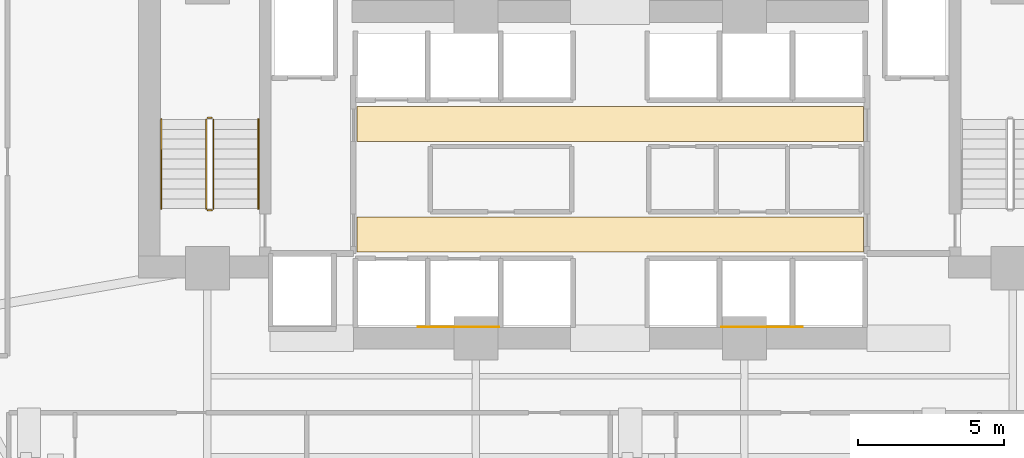
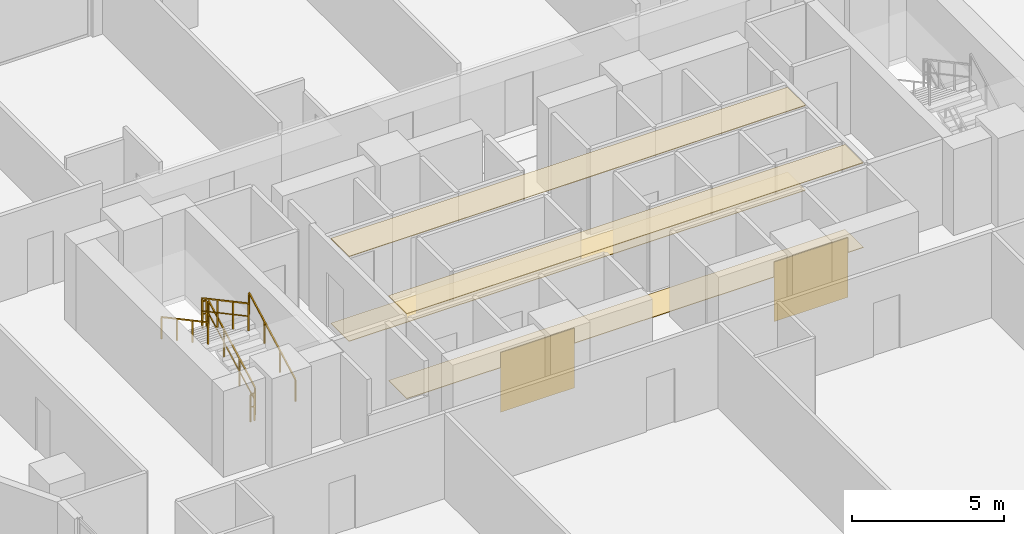
# One storey, part 27 of 30: 6 coverings, 6 railings.
"""IFC4 building model written with IfcOpenShell, lengths in metres."""

from ifc_helpers import new_model, si_unit, direction, frame, origin, origin_2d, place, context, subcontext, project, spatial, polyline, rectangle, outline, extrude, material, layer, layer_set, type_object, element, save


model = new_model("IFC4")

# Units and contexts
model_context = context("Model", 3, precision=1e-05, world=origin(), true_north=direction((0.0, 1.0)))
body_context = subcontext(model_context, "Body", "Model", "MODEL_VIEW")
ifc_project = project(units=[si_unit("LENGTHUNIT", "METRE"), si_unit("AREAUNIT", "SQUARE_METRE"), si_unit("VOLUMEUNIT", "CUBIC_METRE"), si_unit("PLANEANGLEUNIT", "RADIAN"), si_unit("MASSUNIT", "GRAM", prefix="KILO")], contexts=[model_context])

# Site, building, storey
site_placement = place(None, origin())
site = spatial("IfcSite", under=ifc_project, at=site_placement, CompositionType="ELEMENT")
building_placement = place(site_placement, origin())
building = spatial("IfcBuilding", under=site, at=building_placement, Name="Zuhayl Quay Hotel", CompositionType="ELEMENT")
storey_placement = place(building_placement, frame((0.0, 0.0, 128.5)))
storey = spatial("IfcBuildingStorey", under=building, at=storey_placement, Name="L32", CompositionType="ELEMENT", Elevation=128.5)

# Coverings
ifc_material_1 = material(Name="Acoustic Mineral-Fibre Gypsum Board")
ifc_layer_1 = layer(ifc_material_1, 0.02490234375, Name="Acoustic Mineral-Fibre Gypsum Board")
ifc_layer_set_1 = layer_set([ifc_layer_1], Name="Acoustic Mineral-Fibre Gypsum Board")
covering_type_1 = type_object("IfcCoveringType", Name="CV_CEIL_ACOUSTIC", PredefinedType="CEILING", material=ifc_layer_set_1)
covering_1_placement = place(storey_placement, frame((0.0, 0.0, 3.405029296875)))
element("IfcCovering", 1, at=covering_1_placement, inside=storey, type_object=covering_type_1, Name="L32 Suspended Acoustic Lobby Ceiling S", PredefinedType="CEILING", context=body_context, shape_type="SweptSolid", body=[
    extrude(outline(polyline([(-8.679931640625, 5.10009765625), (8.679931640625, 5.10009765625), (8.679931640625, 6.300048828125), (-8.679931640625, 6.300048828125), (-8.679931640625, 5.10009765625)])), origin(), (0.0, 0.0, 1.0), 0.02490234375),
])
covering_2_placement = place(storey_placement, frame((0.0, 0.0, 3.405029296875)))
element("IfcCovering", 2, at=covering_2_placement, inside=storey, type_object=covering_type_1, Name="L32 Suspended Acoustic Lobby Ceiling N", PredefinedType="CEILING", context=body_context, shape_type="SweptSolid", body=[
    extrude(outline(polyline([(-8.679931640625, 8.89990234375), (8.679931640625, 8.89990234375), (8.679931640625, 10.10009765625), (-8.679931640625, 10.10009765625), (-8.679931640625, 8.89990234375)])), origin(), (0.0, 0.0, 1.0), 0.02490234375),
])
ifc_material_2 = material(Name="Polished Limestone Terrazzo", Category="masonry")
ifc_layer_2 = layer(ifc_material_2, 0.02001953125, Name="Polished Limestone Terrazzo", Category="masonry")
ifc_layer_set_2 = layer_set([ifc_layer_2], Name="Polished Limestone Terrazzo")
covering_type_2 = type_object("IfcCoveringType", Name="CV_FLOOR_TERRAZZO", PredefinedType="FLOORING", material=ifc_layer_set_2)
covering_3_placement = place(storey_placement, origin())
element("IfcCovering", 3, at=covering_3_placement, inside=storey, type_object=covering_type_2, Name="L32 Honed Limestone Terrazzo Lobby Flooring S", PredefinedType="FLOORING", context=body_context, shape_type="SweptSolid", body=[
    extrude(outline(polyline([(-8.679931640625, 5.10009765625), (8.679931640625, 5.10009765625), (8.679931640625, 6.300048828125), (-8.679931640625, 6.300048828125), (-8.679931640625, 5.10009765625)])), origin(), (0.0, 0.0, 1.0), 0.02001953125),
])
covering_4_placement = place(storey_placement, origin())
element("IfcCovering", 4, at=covering_4_placement, inside=storey, type_object=covering_type_2, Name="L32 Honed Limestone Terrazzo Lobby Flooring N", PredefinedType="FLOORING", context=body_context, shape_type="SweptSolid", body=[
    extrude(outline(polyline([(-8.679931640625, 8.89990234375), (8.679931640625, 8.89990234375), (8.679931640625, 10.10009765625), (-8.679931640625, 10.10009765625), (-8.679931640625, 8.89990234375)])), origin(), (0.0, 0.0, 1.0), 0.02001953125),
])
ifc_material_3 = material(Name="Acoustic Walnut Feature Timber", Category="wood")
ifc_layer_3 = layer(ifc_material_3, 0.02197265625, Name="Acoustic Walnut Feature Timber", Category="wood")
ifc_layer_set_3 = layer_set([ifc_layer_3], Name="Acoustic Walnut Feature Timber")
covering_type_3 = type_object("IfcCoveringType", Name="CV_WALL_CLAD", PredefinedType="CLADDING", material=ifc_layer_set_3)
for number, where, z_axis, x_axis, name in (
    (5, (-5.199951171875, 2.535888671875, 0.300048828125), (0.0, 0.0, 1.0), (1.0, 0.0, 0.0), "L32 Feature Lobby Walnut Wall Cladding W"),
    (6, (5.199951171875, 2.535888671875, 0.300048828125), (0.0, 0.0, 1.0), (1.0, 0.0, 0.0), "L32 Feature Lobby Walnut Wall Cladding E"),
):
    element("IfcCovering", number, at=place(storey_placement, frame(where, z_axis=z_axis, x_axis=x_axis)), inside=storey, type_object=covering_type_3, Name=name, PredefinedType="CLADDING", context=body_context, shape_type="SweptSolid", body=[
        extrude(rectangle(XDim=2.800048828125, YDim=0.02197265625, at=origin_2d()), origin(), (0.0, 0.0, 1.0), 2.39990234375),
    ])

# Railings
ifc_material_4 = material(Name="Steel ASTM A992 Grade 50", Category="steel")
railing_type_1 = type_object("IfcRailingType", Name="RL_GUARD_1100", PredefinedType="GUARDRAIL", material=ifc_material_4)
railing_1_placement = place(storey_placement, frame((-13.590087890625, 6.590087890625, 0.1826171875)))
element("IfcRailing", 7, at=railing_1_placement, inside=storey, type_object=railing_type_1, Name="L32 ST1 stair guard 1", PredefinedType="GUARDRAIL", context=body_context, shape_type="SweptSolid", body=[
    extrude(rectangle(XDim=0.048095703125, YDim=0.048095703125, at=origin_2d()), frame((0.0, 0.0, 1.09619140625), z_axis=(0.0, 0.881102395774, 0.472925541879), x_axis=(-1.0, 0.0, 0.0)), (0.0, 0.0, 1.0), 3.47265625),
    extrude(rectangle(XDim=0.0361328125, YDim=0.0361328125, at=origin_2d()), frame((0.0, 0.0, 0.58251953125), z_axis=(0.0, 0.881102395774, 0.472925541879), x_axis=(-1.0, 0.0, 0.0)), (0.0, 0.0, 1.0), 3.47265625),
    extrude(rectangle(XDim=0.0419921875, YDim=0.0419921875, at=origin_2d()), origin(), (0.0, 0.0, 1.0), 1.072021484375),
    extrude(rectangle(XDim=0.0419921875, YDim=0.0419921875, at=origin_2d()), frame((0.0, 1.02001953125, 0.54736328125)), (0.0, 0.0, 1.0), 1.072021484375),
    extrude(rectangle(XDim=0.0419921875, YDim=0.0419921875, at=origin_2d()), frame((0.0, 2.039794921875, 1.094970703125)), (0.0, 0.0, 1.0), 1.072021484375),
    extrude(rectangle(XDim=0.0419921875, YDim=0.0419921875, at=origin_2d()), frame((0.0, 3.059814453125, 1.642333984375)), (0.0, 0.0, 1.0), 1.072021484375),
])
railing_2_placement = place(storey_placement, frame((-13.639892578125, 9.699951171875, 1.824951171875)))
element("IfcRailing", 8, at=railing_2_placement, inside=storey, type_object=railing_type_1, Name="L32 ST1 stair guard 2", PredefinedType="GUARDRAIL", context=body_context, shape_type="SweptSolid", body=[
    extrude(rectangle(XDim=0.048095703125, YDim=0.048095703125, at=origin_2d()), frame((0.0, 0.0, 1.09619140625), z_axis=(-1.0, 0.0, 0.0), x_axis=(0.0, -1.0, 0.0)), (0.0, 0.0, 1.0), 0.150146484375),
    extrude(rectangle(XDim=0.0361328125, YDim=0.0361328125, at=origin_2d()), frame((0.0, 0.0, 0.58251953125), z_axis=(-1.0, 0.0, 0.0), x_axis=(0.0, -1.0, 0.0)), (0.0, 0.0, 1.0), 0.150146484375),
    extrude(rectangle(XDim=0.0419921875, YDim=0.0419921875, at=origin_2d()), origin(), (0.0, 0.0, 1.0), 1.072021484375),
    extrude(rectangle(XDim=0.0419921875, YDim=0.0419921875, at=origin_2d()), frame((-0.150146484375, 0.0, 0.0)), (0.0, 0.0, 1.0), 1.072021484375),
])
railing_3_placement = place(storey_placement, frame((-13.840087890625, 9.64990234375, 2.007568359375)))
element("IfcRailing", 9, at=railing_3_placement, inside=storey, type_object=railing_type_1, Name="L32 ST1 stair guard 3", PredefinedType="GUARDRAIL", context=body_context, shape_type="SweptSolid", body=[
    extrude(rectangle(XDim=0.048095703125, YDim=0.048095703125, at=origin_2d()), frame((0.0, 0.0, 1.09619140625), z_axis=(0.0, -0.881102395774, 0.472925541879), x_axis=(1.0, 0.0, 0.0)), (0.0, 0.0, 1.0), 3.47265625),
    extrude(rectangle(XDim=0.0361328125, YDim=0.0361328125, at=origin_2d()), frame((0.0, 0.0, 0.58251953125), z_axis=(0.0, -0.881102395774, 0.472925541879), x_axis=(1.0, 0.0, 0.0)), (0.0, 0.0, 1.0), 3.47265625),
    extrude(rectangle(XDim=0.0419921875, YDim=0.0419921875, at=origin_2d()), origin(), (0.0, 0.0, 1.0), 1.072021484375),
    extrude(rectangle(XDim=0.0419921875, YDim=0.0419921875, at=origin_2d()), frame((0.0, -1.02001953125, 0.54736328125)), (0.0, 0.0, 1.0), 1.072021484375),
    extrude(rectangle(XDim=0.0419921875, YDim=0.0419921875, at=origin_2d()), frame((0.0, -2.039794921875, 1.094970703125)), (0.0, 0.0, 1.0), 1.072021484375),
    extrude(rectangle(XDim=0.0419921875, YDim=0.0419921875, at=origin_2d()), frame((0.0, -3.059814453125, 1.642333984375)), (0.0, 0.0, 1.0), 1.072021484375),
])
railing_4_placement = place(storey_placement, frame((-13.639892578125, 6.5400390625, 0.0)))
element("IfcRailing", 10, at=railing_4_placement, inside=storey, type_object=railing_type_1, Name="L32 ST1 stair guard 4", PredefinedType="GUARDRAIL", context=body_context, shape_type="SweptSolid", body=[
    extrude(rectangle(XDim=0.048095703125, YDim=0.048095703125, at=origin_2d()), frame((0.0, 0.0, 1.09619140625), z_axis=(-1.0, 0.0, 0.0), x_axis=(0.0, -1.0, 0.0)), (0.0, 0.0, 1.0), 0.150146484375),
    extrude(rectangle(XDim=0.0361328125, YDim=0.0361328125, at=origin_2d()), frame((0.0, 0.0, 0.58251953125), z_axis=(-1.0, 0.0, 0.0), x_axis=(0.0, -1.0, 0.0)), (0.0, 0.0, 1.0), 0.150146484375),
    extrude(rectangle(XDim=0.0419921875, YDim=0.0419921875, at=origin_2d()), origin(), (0.0, 0.0, 1.0), 1.072021484375),
    extrude(rectangle(XDim=0.0419921875, YDim=0.0419921875, at=origin_2d()), frame((-0.150146484375, 0.0, 0.0)), (0.0, 0.0, 1.0), 1.072021484375),
])
railing_type_2 = type_object("IfcRailingType", Name="RL_HANDRAIL_920", PredefinedType="HANDRAIL", material=ifc_material_4)
railing_5_placement = place(storey_placement, frame((-12.050048828125, 6.590087890625, 0.1826171875)))
element("IfcRailing", 11, at=railing_5_placement, inside=storey, type_object=railing_type_2, Name="L32 ST1 stair handrail 1", PredefinedType="HANDRAIL", context=body_context, shape_type="SweptSolid", body=[
    extrude(rectangle(XDim=0.048095703125, YDim=0.048095703125, at=origin_2d()), frame((0.0, 0.0, 0.8759765625), z_axis=(0.0, 0.881102395774, 0.472925541879), x_axis=(-1.0, 0.0, 0.0)), (0.0, 0.0, 1.0), 3.47265625),
    extrude(rectangle(XDim=0.0419921875, YDim=0.0419921875, at=origin_2d()), origin(), (0.0, 0.0, 1.0), 0.851806640625),
    extrude(rectangle(XDim=0.0419921875, YDim=0.0419921875, at=origin_2d()), frame((0.0, 1.02001953125, 0.54736328125)), (0.0, 0.0, 1.0), 0.851806640625),
    extrude(rectangle(XDim=0.0419921875, YDim=0.0419921875, at=origin_2d()), frame((0.0, 2.039794921875, 1.094970703125)), (0.0, 0.0, 1.0), 0.851806640625),
    extrude(rectangle(XDim=0.0419921875, YDim=0.0419921875, at=origin_2d()), frame((0.0, 3.059814453125, 1.642333984375)), (0.0, 0.0, 1.0), 0.851806640625),
])
railing_6_placement = place(storey_placement, frame((-15.3798828125, 9.64990234375, 2.007568359375)))
element("IfcRailing", 12, at=railing_6_placement, inside=storey, type_object=railing_type_2, Name="L32 ST1 stair handrail 2", PredefinedType="HANDRAIL", context=body_context, shape_type="SweptSolid", body=[
    extrude(rectangle(XDim=0.048095703125, YDim=0.048095703125, at=origin_2d()), frame((0.0, 0.0, 0.8759765625), z_axis=(0.0, -0.881102395774, 0.472925541879), x_axis=(1.0, 0.0, 0.0)), (0.0, 0.0, 1.0), 3.47265625),
    extrude(rectangle(XDim=0.0419921875, YDim=0.0419921875, at=origin_2d()), origin(), (0.0, 0.0, 1.0), 0.851806640625),
    extrude(rectangle(XDim=0.0419921875, YDim=0.0419921875, at=origin_2d()), frame((0.0, -1.02001953125, 0.54736328125)), (0.0, 0.0, 1.0), 0.851806640625),
    extrude(rectangle(XDim=0.0419921875, YDim=0.0419921875, at=origin_2d()), frame((0.0, -2.039794921875, 1.094970703125)), (0.0, 0.0, 1.0), 0.851806640625),
    extrude(rectangle(XDim=0.0419921875, YDim=0.0419921875, at=origin_2d()), frame((0.0, -3.059814453125, 1.642333984375)), (0.0, 0.0, 1.0), 0.851806640625),
])

save(model, "model.ifc")
